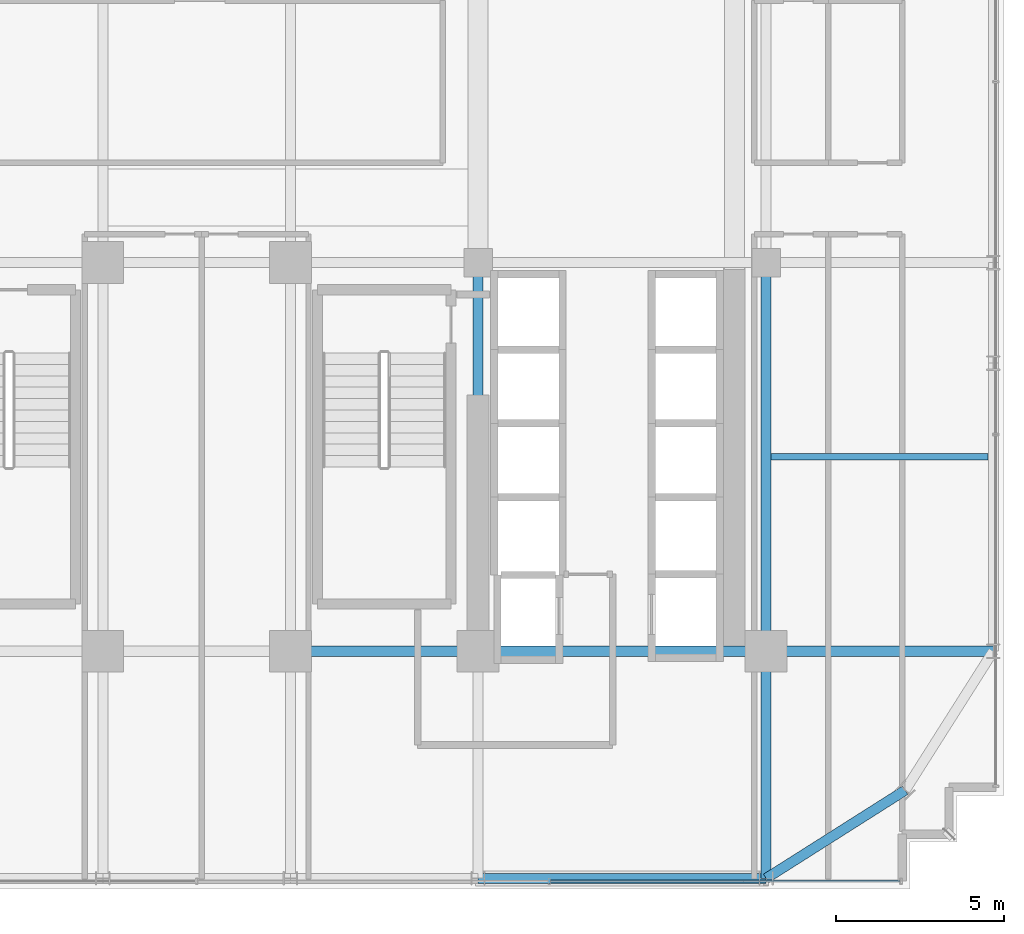
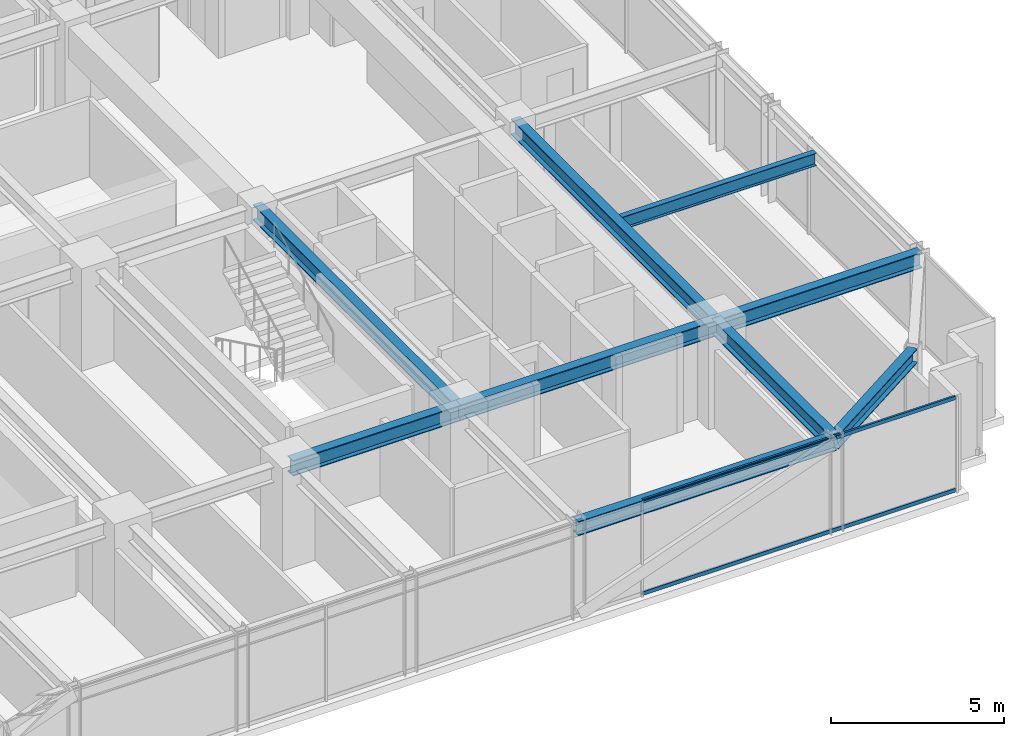
# One storey, part 11 of 39: 9 beams, 2 members, 1 element without a shape of its own.
"""IFC4 building model written with IfcOpenShell, lengths in metres."""

from ifc_helpers import new_model, si_unit, direction, frame, origin, origin_2d, place, context, subcontext, project, spatial, hollow_rectangle, i_section, extrude, source, transform, mapped, material, material_profile, profile_set, type_object, element, aggregate, save


model = new_model("IFC4")

# Units and contexts
model_context = context("Model", 3, precision=1e-05, world=origin(), true_north=direction((0.0, 1.0)))
body_context = subcontext(model_context, "Body", "Model", "MODEL_VIEW")
ifc_project = project(units=[si_unit("LENGTHUNIT", "METRE"), si_unit("AREAUNIT", "SQUARE_METRE"), si_unit("VOLUMEUNIT", "CUBIC_METRE"), si_unit("PLANEANGLEUNIT", "RADIAN"), si_unit("MASSUNIT", "GRAM", prefix="KILO")], contexts=[model_context])

# Site, building, storey
site_placement = place(None, origin())
site = spatial("IfcSite", under=ifc_project, at=site_placement, CompositionType="ELEMENT")
building_placement = place(site_placement, origin())
building = spatial("IfcBuilding", under=site, at=building_placement, Name="Nahalor Promenade Grand Hotel", CompositionType="ELEMENT")
storey_placement = place(building_placement, frame((0.0, 0.0, 135.75)))
storey = spatial("IfcBuildingStorey", under=building, at=storey_placement, Name="L34", CompositionType="ELEMENT", Elevation=135.75)

# Beams
ifc_material_1 = material(Name="Steel S355JR", Category="steel")
ifc_material_profile_1 = material_profile(ifc_material_1, i_section(OverallWidth=0.3, OverallDepth=0.5, WebThickness=0.0145, FlangeThickness=0.028, at=origin_2d()), Name="HEB 500")
ifc_profile_set_1 = profile_set([ifc_material_profile_1], Name="Steel S355JR")
beam_type_1 = type_object("IfcBeamType", Name="Beam-Spandrel-HEB500", PredefinedType="SPANDREL", material=ifc_profile_set_1)
shared_shape_1 = source(origin(), body_context, "Body", "SweptSolid", [
    extrude(i_section(OverallWidth=0.3, OverallDepth=0.5, WebThickness=0.0145, FlangeThickness=0.028, at=origin_2d()), origin(), (0.0, 0.0, 1.0), 8.60009765625),
])
beam_1_placement = place(storey_placement, frame((8.39990234375, -23.780029296875, 3.1298828125), z_axis=(1.0, 0.0, 0.0), x_axis=(0.0, 1.0, 0.0)))
element("IfcBeam", 1, at=beam_1_placement, inside=storey, type_object=beam_type_1, Name="BM-L34-SP-S-4", PredefinedType="SPANDREL", context=body_context, shape_type="MappedRepresentation", body=[
    mapped(shared_shape_1, transform((0.0, 0.0, 0.0), scale=1.0)),
])
shared_shape_2 = source(origin(), body_context, "Body", "SweptSolid", [
    extrude(i_section(OverallWidth=0.3, OverallDepth=0.5, WebThickness=0.0145, FlangeThickness=0.028, at=origin_2d()), origin(), (0.0, 0.0, 1.0), 4.9130859375),
])
beam_2_placement = place(storey_placement, frame((17.0, -23.780029296875, 3.1298828125), z_axis=(0.844648325505, 0.535321591403, 0.0), x_axis=(-0.535321591403, 0.844648325505, 0.0)))
element("IfcBeam", 2, at=beam_2_placement, inside=storey, type_object=beam_type_1, Name="BM-L34-SPC-SE-1", PredefinedType="SPANDREL", context=body_context, shape_type="MappedRepresentation", body=[
    mapped(shared_shape_2, transform((0.0, 0.0, 0.0), scale=1.0)),
])
ifc_material_profile_2 = material_profile(ifc_material_1, i_section(OverallWidth=0.3, OverallDepth=0.55, WebThickness=0.015, FlangeThickness=0.029, at=origin_2d()), Name="HEB 550")
ifc_profile_set_2 = profile_set([ifc_material_profile_2], Name="Steel S355JR")
beam_type_2 = type_object("IfcBeamType", Name="Beam-Girder-HEB550", PredefinedType="BEAM", material=ifc_profile_set_2)
shared_shape_3 = source(origin(), body_context, "Body", "SweptSolid", [
    extrude(i_section(OverallWidth=0.3, OverallDepth=0.55, WebThickness=0.015, FlangeThickness=0.029, at=origin_2d()), origin(), (0.0, 0.0, 1.0), 6.780029296875),
])
for number, where, z_axis, x_axis, name in (
    (3, (17.0, -17.0, 3.10498046875), (1.0, 0.0, 0.0), (0.0, 1.0, 0.0), "BM-L34-GX-0-6"),
    (4, (17.0, -23.780029296875, 3.10498046875), (0.0, 1.0, 0.0), (-1.0, 0.0, 0.0), "BM-L34-GY-5-0"),
):
    element("IfcBeam", number, at=place(storey_placement, frame(where, z_axis=z_axis, x_axis=x_axis)), inside=storey, type_object=beam_type_2, Name=name, PredefinedType="BEAM", context=body_context, shape_type="MappedRepresentation", body=[
        mapped(shared_shape_3, transform((0.0, 0.0, 0.0), scale=1.0)),
    ])
shared_shape_4 = source(origin(), body_context, "Body", "SweptSolid", [
    extrude(i_section(OverallWidth=0.3, OverallDepth=0.55, WebThickness=0.015, FlangeThickness=0.029, at=origin_2d()), origin(), (0.0, 0.0, 1.0), 8.60009765625),
])
beam_3_placement = place(storey_placement, frame((8.39990234375, -17.0, 3.10498046875), z_axis=(1.0, 0.0, 0.0), x_axis=(0.0, 1.0, 0.0)))
element("IfcBeam", 5, at=beam_3_placement, inside=storey, type_object=beam_type_2, Name="BM-L34-GX-0-5", PredefinedType="BEAM", context=body_context, shape_type="MappedRepresentation", body=[
    mapped(shared_shape_4, transform((0.0, 0.0, 0.0), scale=1.0)),
])
shared_shape_5 = source(origin(), body_context, "Body", "SweptSolid", [
    extrude(i_section(OverallWidth=0.3, OverallDepth=0.55, WebThickness=0.015, FlangeThickness=0.029, at=origin_2d()), origin(), (0.0, 0.0, 1.0), 5.599853515625),
])
beam_4_placement = place(storey_placement, frame((2.800048828125, -17.0, 3.10498046875), z_axis=(1.0, 0.0, 0.0), x_axis=(0.0, 1.0, 0.0)))
element("IfcBeam", 6, at=beam_4_placement, inside=storey, type_object=beam_type_2, Name="BM-L34-GX-0-4", PredefinedType="BEAM", context=body_context, shape_type="MappedRepresentation", body=[
    mapped(shared_shape_5, transform((0.0, 0.0, 0.0), scale=1.0)),
])
shared_shape_6 = source(origin(), body_context, "Body", "SweptSolid", [
    extrude(i_section(OverallWidth=0.3, OverallDepth=0.55, WebThickness=0.015, FlangeThickness=0.029, at=origin_2d()), origin(), (0.0, 0.0, 1.0), 11.60009765625),
])
for number, where, z_axis, x_axis, name in (
    (7, (8.39990234375, -17.0, 3.10498046875), (0.0, 1.0, 0.0), (-1.0, 0.0, 0.0), "BM-L34-GY-4-1"),
    (8, (17.0, -17.0, 3.10498046875), (0.0, 1.0, 0.0), (-1.0, 0.0, 0.0), "BM-L34-GY-5-1"),
):
    element("IfcBeam", number, at=place(storey_placement, frame(where, z_axis=z_axis, x_axis=x_axis)), inside=storey, type_object=beam_type_2, Name=name, PredefinedType="BEAM", context=body_context, shape_type="MappedRepresentation", body=[
        mapped(shared_shape_6, transform((0.0, 0.0, 0.0), scale=1.0)),
    ])
ifc_material_profile_3 = material_profile(ifc_material_1, i_section(OverallWidth=0.19, OverallDepth=0.45, WebThickness=0.0094, FlangeThickness=0.0146, at=origin_2d()), Name="IPE 450")
ifc_profile_set_3 = profile_set([ifc_material_profile_3], Name="Steel S355JR")
beam_type_3 = type_object("IfcBeamType", Name="Beam-Joist-IPE450", PredefinedType="JOIST", material=ifc_profile_set_3)
shared_shape_7 = source(origin(), body_context, "Body", "SweptSolid", [
    extrude(i_section(OverallWidth=0.19, OverallDepth=0.45, WebThickness=0.0094, FlangeThickness=0.0146, at=origin_2d()), origin(), (0.0, 0.0, 1.0), 6.47998046875),
])
beam_5_placement = place(storey_placement, frame((17.14990234375, -11.199951171875, 3.155029296875), z_axis=(1.0, 0.0, 0.0), x_axis=(0.0, 1.0, 0.0)))
element("IfcBeam", 9, at=beam_5_placement, inside=storey, type_object=beam_type_3, Name="BM-L34-JSE-0-2", PredefinedType="JOIST", context=body_context, shape_type="MappedRepresentation", body=[
    mapped(shared_shape_7, transform((0.0, 0.0, 0.0), scale=1.0)),
])

# Curtain wall, members
ifc_material_2 = material(Name="Anodised Bronze Aluminium EN AW-6063 T6", Category="aluminium")
curtain_wall_type = type_object("IfcCurtainWallType", Name="CW2 Typical Hotel Flush Bronze Unitised Curtain Wall", PredefinedType="USERDEFINED", material=ifc_material_2)
curtain_wall_placement = place(storey_placement, origin())
curtain_wall = element("IfcCurtainWall", 10, at=curtain_wall_placement, inside=storey, type_object=curtain_wall_type, Name="L34 Curtain Wall CW-L34-S-1", ObjectType="UNITISED_CURTAIN_WALL", PredefinedType="USERDEFINED")
ifc_material_profile_4 = material_profile(ifc_material_2, hollow_rectangle(XDim=0.065, YDim=0.13, WallThickness=0.004, at=origin_2d()), Name="CWT 65x130x4")
ifc_profile_set_4 = profile_set([ifc_material_profile_4], Name="Anodised Bronze Aluminium EN AW-6063 T6")
member_type = type_object("IfcMemberType", Name="CWT2 Typical Bronze Transom 65x130", PredefinedType="USERDEFINED", material=ifc_profile_set_4)
shared_shape_8 = source(origin(), body_context, "Body", "SweptSolid", [
    extrude(hollow_rectangle(XDim=0.065, YDim=0.13, WallThickness=0.004, at=origin_2d()), origin(), (0.0, 0.0, 1.0), 10.4326171875),
])
member_1_placement = place(storey_placement, frame((10.5625, -23.860107421875, 0.06494140625), z_axis=(1.0, 0.0, 0.0), x_axis=(0.0, 1.0, 0.0)))
member_1 = element("IfcMember", 11, at=member_1_placement, type_object=member_type, Name="CW-L34-S-1 Transom 3-0", ObjectType="TRANSOM", PredefinedType="USERDEFINED", context=body_context, shape_type="MappedRepresentation", body=[
    mapped(shared_shape_8, transform((0.0, 0.0, 0.0), scale=1.0)),
])
member_2_placement = place(storey_placement, frame((10.5625, -23.860107421875, 3.31494140625), z_axis=(1.0, 0.0, 0.0), x_axis=(0.0, 1.0, 0.0)))
member_2 = element("IfcMember", 12, at=member_2_placement, type_object=member_type, Name="CW-L34-S-1 Transom 3-1", ObjectType="TRANSOM", PredefinedType="USERDEFINED", context=body_context, shape_type="MappedRepresentation", body=[
    mapped(shared_shape_8, transform((0.0, 0.0, 0.0), scale=1.0)),
])
aggregate(curtain_wall, [member_1, member_2])

save(model, "model.ifc")
